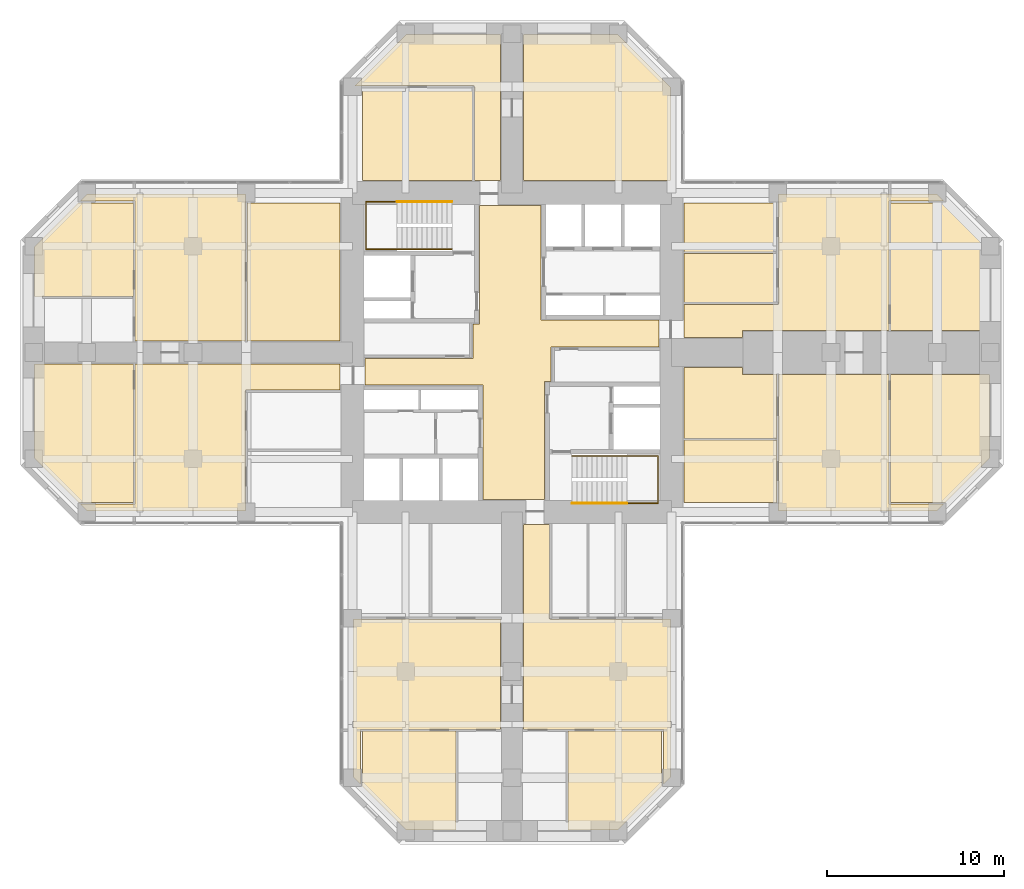
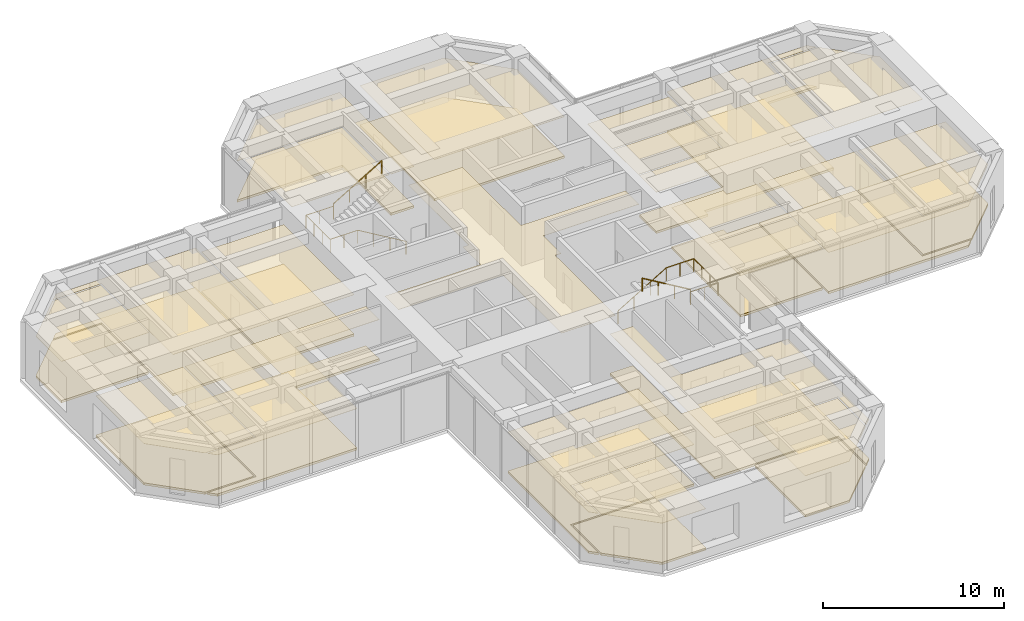
# One storey, part 13 of 13: 37 coverings, 4 railings.
"""IFC4 building model written with IfcOpenShell, lengths in metres."""

from ifc_helpers import new_model, si_unit, direction, frame, origin, origin_2d, place, context, subcontext, project, spatial, polyline, circle, outline, extrude, material, layer, layer_set, constituent, constituent_set, type_object, element, save


model = new_model("IFC4")

# Units and contexts
model_context = context("Model", 3, precision=1e-05, world=origin(), true_north=direction((0.0, 1.0)))
body_context = subcontext(model_context, "Body", "Model", "MODEL_VIEW")
ifc_project = project(units=[si_unit("LENGTHUNIT", "METRE"), si_unit("AREAUNIT", "SQUARE_METRE"), si_unit("VOLUMEUNIT", "CUBIC_METRE"), si_unit("PLANEANGLEUNIT", "RADIAN"), si_unit("MASSUNIT", "GRAM", prefix="KILO")], contexts=[model_context])

# Site, building, storey
site_placement = place(None, origin())
site = spatial("IfcSite", under=ifc_project, at=site_placement, CompositionType="ELEMENT")
building_placement = place(site_placement, origin())
building = spatial("IfcBuilding", under=site, at=building_placement, Name="Torre Cruceta", CompositionType="ELEMENT")
storey_placement = place(building_placement, frame((0.0, 0.0, 156.5)))
storey = spatial("IfcBuildingStorey", under=building, at=storey_placement, Name="L38", CompositionType="ELEMENT", Elevation=156.5)

# Railings
ifc_material_1 = material(Name="Stainless steel 1.4401", Category="steel")
railing_type = type_object("IfcRailingType", Name="HANDRAIL 900", PredefinedType="HANDRAIL", material=ifc_material_1)
railing_1_placement = place(storey_placement, frame((-3.39990234375, 5.8349609375, 0.166748046875)))
element("IfcRailing", 1, at=railing_1_placement, inside=storey, type_object=railing_type, Name="Handrail HR1 ST1 L38", PredefinedType="HANDRAIL", context=body_context, shape_type="SweptSolid", body=[
    extrude(circle(Radius=0.02392578125, at=origin_2d()), frame((0.0, 0.0, 0.8759765625), z_axis=(-0.859308565015, 0.0, 0.511457515432), x_axis=(0.0, -1.0, 0.0)), (0.0, 0.0, 1.0), 3.58447265625),
    extrude(circle(Radius=0.02392578125, at=origin_2d()), frame((-3.080078125, 0.0, 2.708984375), z_axis=(-1.0, 0.0, 0.0), x_axis=(0.0, -1.0, 0.0)), (0.0, 0.0, 1.0), 1.760009765625),
    extrude(circle(Radius=0.02392578125, at=origin_2d()), frame((-4.840087890625, 0.0, 2.708984375), z_axis=(0.0, 1.0, 0.0), x_axis=(-1.0, 0.0, 0.0)), (0.0, 0.0, 1.0), 2.679931640625),
    extrude(circle(Radius=0.02392578125, at=origin_2d()), frame((-4.840087890625, 2.679931640625, 2.708984375), z_axis=(1.0, 0.0, 0.0), x_axis=(0.0, 1.0, 0.0)), (0.0, 0.0, 1.0), 1.760009765625),
    extrude(circle(Radius=0.02099609375, at=origin_2d()), origin(), (0.0, 0.0, 1.0), 0.851806640625),
    extrude(circle(Radius=0.02099609375, at=origin_2d()), frame((-1.026611328125, 0.0, 0.611083984375)), (0.0, 0.0, 1.0), 0.851806640625),
    extrude(circle(Radius=0.02099609375, at=origin_2d()), frame((-2.053466796875, 0.0, 1.22216796875)), (0.0, 0.0, 1.0), 0.851806640625),
    extrude(circle(Radius=0.02099609375, at=origin_2d()), frame((-3.080078125, 0.0, 1.833251953125)), (0.0, 0.0, 1.0), 0.851806640625),
    extrude(circle(Radius=0.02099609375, at=origin_2d()), frame((-3.9599609375, 0.0, 1.833251953125)), (0.0, 0.0, 1.0), 0.851806640625),
    extrude(circle(Radius=0.02099609375, at=origin_2d()), frame((-4.840087890625, 0.0, 1.833251953125)), (0.0, 0.0, 1.0), 0.851806640625),
    extrude(circle(Radius=0.02099609375, at=origin_2d()), frame((-4.840087890625, 0.893310546875, 1.833251953125)), (0.0, 0.0, 1.0), 0.851806640625),
    extrude(circle(Radius=0.02099609375, at=origin_2d()), frame((-4.840087890625, 1.78662109375, 1.833251953125)), (0.0, 0.0, 1.0), 0.851806640625),
    extrude(circle(Radius=0.02099609375, at=origin_2d()), frame((-4.840087890625, 2.679931640625, 1.833251953125)), (0.0, 0.0, 1.0), 0.851806640625),
    extrude(circle(Radius=0.02099609375, at=origin_2d()), frame((-3.9599609375, 2.679931640625, 1.833251953125)), (0.0, 0.0, 1.0), 0.851806640625),
    extrude(circle(Radius=0.02099609375, at=origin_2d()), frame((-3.080078125, 2.679931640625, 1.833251953125)), (0.0, 0.0, 1.0), 0.851806640625),
])
railing_2_placement = place(storey_placement, frame((-6.47998046875, 8.514892578125, 2.166748046875)))
element("IfcRailing", 2, at=railing_2_placement, inside=storey, type_object=railing_type, Name="Handrail HR1 ST1 L38", PredefinedType="HANDRAIL", context=body_context, shape_type="SweptSolid", body=[
    extrude(circle(Radius=0.02392578125, at=origin_2d()), frame((0.0, 0.0, 0.8759765625), z_axis=(0.859308565015, 0.0, 0.511457515432), x_axis=(0.0, 1.0, 0.0)), (0.0, 0.0, 1.0), 3.58447265625),
    extrude(circle(Radius=0.02099609375, at=origin_2d()), origin(), (0.0, 0.0, 1.0), 0.851806640625),
    extrude(circle(Radius=0.02099609375, at=origin_2d()), frame((1.026611328125, 0.0, 0.611083984375)), (0.0, 0.0, 1.0), 0.851806640625),
    extrude(circle(Radius=0.02099609375, at=origin_2d()), frame((2.053466796875, 0.0, 1.22216796875)), (0.0, 0.0, 1.0), 0.851806640625),
    extrude(circle(Radius=0.02099609375, at=origin_2d()), frame((3.080078125, 0.0, 1.833251953125)), (0.0, 0.0, 1.0), 0.851806640625),
])
railing_3_placement = place(storey_placement, frame((3.39990234375, -5.8349609375, 0.166748046875)))
element("IfcRailing", 3, at=railing_3_placement, inside=storey, type_object=railing_type, Name="Handrail HR1 ST2 L38", PredefinedType="HANDRAIL", context=body_context, shape_type="SweptSolid", body=[
    extrude(circle(Radius=0.02392578125, at=origin_2d()), frame((0.0, 0.0, 0.8759765625), z_axis=(0.859308565015, 0.0, 0.511457515432), x_axis=(0.0, 1.0, 0.0)), (0.0, 0.0, 1.0), 3.58447265625),
    extrude(circle(Radius=0.02392578125, at=origin_2d()), frame((3.080078125, 0.0, 2.708984375), z_axis=(1.0, 0.0, 0.0), x_axis=(0.0, 1.0, 0.0)), (0.0, 0.0, 1.0), 1.760009765625),
    extrude(circle(Radius=0.02392578125, at=origin_2d()), frame((4.840087890625, 0.0, 2.708984375), z_axis=(0.0, -1.0, 0.0), x_axis=(1.0, 0.0, 0.0)), (0.0, 0.0, 1.0), 2.679931640625),
    extrude(circle(Radius=0.02392578125, at=origin_2d()), frame((4.840087890625, -2.679931640625, 2.708984375), z_axis=(-1.0, 0.0, 0.0), x_axis=(0.0, -1.0, 0.0)), (0.0, 0.0, 1.0), 1.760009765625),
    extrude(circle(Radius=0.02099609375, at=origin_2d()), origin(), (0.0, 0.0, 1.0), 0.851806640625),
    extrude(circle(Radius=0.02099609375, at=origin_2d()), frame((1.026611328125, 0.0, 0.611083984375)), (0.0, 0.0, 1.0), 0.851806640625),
    extrude(circle(Radius=0.02099609375, at=origin_2d()), frame((2.053466796875, 0.0, 1.22216796875)), (0.0, 0.0, 1.0), 0.851806640625),
    extrude(circle(Radius=0.02099609375, at=origin_2d()), frame((3.080078125, 0.0, 1.833251953125)), (0.0, 0.0, 1.0), 0.851806640625),
    extrude(circle(Radius=0.02099609375, at=origin_2d()), frame((3.9599609375, 0.0, 1.833251953125)), (0.0, 0.0, 1.0), 0.851806640625),
    extrude(circle(Radius=0.02099609375, at=origin_2d()), frame((4.840087890625, 0.0, 1.833251953125)), (0.0, 0.0, 1.0), 0.851806640625),
    extrude(circle(Radius=0.02099609375, at=origin_2d()), frame((4.840087890625, -0.893310546875, 1.833251953125)), (0.0, 0.0, 1.0), 0.851806640625),
    extrude(circle(Radius=0.02099609375, at=origin_2d()), frame((4.840087890625, -1.78662109375, 1.833251953125)), (0.0, 0.0, 1.0), 0.851806640625),
    extrude(circle(Radius=0.02099609375, at=origin_2d()), frame((4.840087890625, -2.679931640625, 1.833251953125)), (0.0, 0.0, 1.0), 0.851806640625),
    extrude(circle(Radius=0.02099609375, at=origin_2d()), frame((3.9599609375, -2.679931640625, 1.833251953125)), (0.0, 0.0, 1.0), 0.851806640625),
    extrude(circle(Radius=0.02099609375, at=origin_2d()), frame((3.080078125, -2.679931640625, 1.833251953125)), (0.0, 0.0, 1.0), 0.851806640625),
])
railing_4_placement = place(storey_placement, frame((6.47998046875, -8.514892578125, 2.166748046875)))
element("IfcRailing", 4, at=railing_4_placement, inside=storey, type_object=railing_type, Name="Handrail HR1 ST2 L38", PredefinedType="HANDRAIL", context=body_context, shape_type="SweptSolid", body=[
    extrude(circle(Radius=0.02392578125, at=origin_2d()), frame((0.0, 0.0, 0.8759765625), z_axis=(-0.859308565015, 0.0, 0.511457515432), x_axis=(0.0, -1.0, 0.0)), (0.0, 0.0, 1.0), 3.58447265625),
    extrude(circle(Radius=0.02099609375, at=origin_2d()), origin(), (0.0, 0.0, 1.0), 0.851806640625),
    extrude(circle(Radius=0.02099609375, at=origin_2d()), frame((-1.026611328125, 0.0, 0.611083984375)), (0.0, 0.0, 1.0), 0.851806640625),
    extrude(circle(Radius=0.02099609375, at=origin_2d()), frame((-2.053466796875, 0.0, 1.22216796875)), (0.0, 0.0, 1.0), 0.851806640625),
    extrude(circle(Radius=0.02099609375, at=origin_2d()), frame((-3.080078125, 0.0, 1.833251953125)), (0.0, 0.0, 1.0), 0.851806640625),
])

# Coverings
ifc_material_2 = material(Name="Steel DX51D", Category="steel")
ifc_constituent_1 = constituent(ifc_material_2, Name="Panel casing")
ifc_material_3 = material(Name="Calcium sulphate", Category="gypsum")
ifc_constituent_2 = constituent(ifc_material_3, Name="Panel core")
ifc_constituent_set = constituent_set(constituents=[ifc_constituent_1, ifc_constituent_2], Name="Raised access floor panel")
covering_type_1 = type_object("IfcCoveringType", Name="RAISED ACCESS FLOOR 150", PredefinedType="FLOORING", material=ifc_constituent_set)
covering_1_placement = place(storey_placement, origin())
element("IfcCovering", 5, at=covering_1_placement, inside=storey, type_object=covering_type_1, Name="Raised floor L38-026", PredefinedType="FLOORING", context=body_context, shape_type="SweptSolid", body=[
    extrude(outline(polyline([(-0.64990234375, 17.949951171875), (-0.64990234375, 9.699951171875), (-2.125, 9.699951171875), (-2.125, 15.050048828125), (-8.87939453125, 15.050048828125), (-5.979248046875, 17.949951171875), (-0.64990234375, 17.949951171875)])), origin(), (0.0, 0.0, 1.0), 0.14990234375),
])
covering_2_placement = place(storey_placement, origin())
element("IfcCovering", 6, at=covering_2_placement, inside=storey, type_object=covering_type_1, Name="Raised floor L38-027", PredefinedType="FLOORING", context=body_context, shape_type="SweptSolid", body=[
    extrude(outline(polyline([(5.979248046875, 17.949951171875), (8.949951171875, 14.979248046875), (8.949951171875, 9.699951171875), (0.64990234375, 9.699951171875), (0.64990234375, 17.949951171875), (5.979248046875, 17.949951171875)])), origin(), (0.0, 0.0, 1.0), 0.14990234375),
])
covering_3_placement = place(storey_placement, origin())
element("IfcCovering", 7, at=covering_3_placement, inside=storey, type_object=covering_type_1, Name="Raised floor L38-030", PredefinedType="FLOORING", context=body_context, shape_type="SweptSolid", body=[
    extrude(outline(polyline([(14.949951171875, -4.85009765625), (9.699951171875, -4.85009765625), (9.699951171875, -0.85009765625), (13.0, -0.85009765625), (13.0, -1.25), (14.949951171875, -1.25), (14.949951171875, -4.85009765625)])), origin(), (0.0, 0.0, 1.0), 0.14990234375),
])
covering_4_placement = place(storey_placement, origin())
element("IfcCovering", 8, at=covering_4_placement, inside=storey, type_object=covering_type_1, Name="Raised floor L38-031", PredefinedType="FLOORING", context=body_context, shape_type="SweptSolid", body=[
    extrude(outline(polyline([(9.699951171875, -8.449951171875), (9.699951171875, -4.949951171875), (14.949951171875, -4.949951171875), (14.949951171875, -8.449951171875), (9.699951171875, -8.449951171875)])), origin(), (0.0, 0.0, 1.0), 0.14990234375),
])
covering_5_placement = place(storey_placement, origin())
element("IfcCovering", 9, at=covering_5_placement, inside=storey, type_object=covering_type_1, Name="Raised floor L38-033", PredefinedType="FLOORING", context=body_context, shape_type="SweptSolid", body=[
    extrude(outline(polyline([(24.479248046875, -8.449951171875), (21.3701171875, -8.449951171875), (21.3701171875, -1.25), (26.949951171875, -1.25), (26.949951171875, -5.979248046875), (24.479248046875, -8.449951171875)])), origin(), (0.0, 0.0, 1.0), 0.14990234375),
])
covering_6_placement = place(storey_placement, origin())
element("IfcCovering", 10, at=covering_6_placement, inside=storey, type_object=covering_type_1, Name="Raised floor L38-034", PredefinedType="FLOORING", context=body_context, shape_type="SweptSolid", body=[
    extrude(outline(polyline([(9.699951171875, 2.72509765625), (15.050048828125, 2.72509765625), (15.050048828125, 8.949951171875), (23.979248046875, 8.949951171875), (24.37939453125, 8.550048828125), (21.27001953125, 8.550048828125), (21.27001953125, 1.25), (13.0, 1.25), (13.0, 0.85009765625), (9.699951171875, 0.85009765625), (9.699951171875, 2.72509765625)])), origin(), (0.0, 0.0, 1.0), 0.14990234375),
])
covering_7_placement = place(storey_placement, origin())
element("IfcCovering", 11, at=covering_7_placement, inside=storey, type_object=covering_type_1, Name="Raised floor L38-035", PredefinedType="FLOORING", context=body_context, shape_type="SweptSolid", body=[
    extrude(outline(polyline([(15.050048828125, -8.949951171875), (15.050048828125, -1.25), (21.27001953125, -1.25), (21.27001953125, -8.550048828125), (24.37939453125, -8.550048828125), (23.979248046875, -8.949951171875), (15.050048828125, -8.949951171875)])), origin(), (0.0, 0.0, 1.0), 0.14990234375),
])
covering_8_placement = place(storey_placement, origin())
element("IfcCovering", 12, at=covering_8_placement, inside=storey, type_object=covering_type_1, Name="Raised floor L38-042", PredefinedType="FLOORING", context=body_context, shape_type="SweptSolid", body=[
    extrude(outline(polyline([(3.16796875, -26.949951171875), (3.16796875, -21.3701171875), (8.449951171875, -21.3701171875), (8.449951171875, -24.479248046875), (5.979248046875, -26.949951171875), (3.16796875, -26.949951171875)])), origin(), (0.0, 0.0, 1.0), 0.14990234375),
])
covering_9_placement = place(storey_placement, origin())
element("IfcCovering", 13, at=covering_9_placement, inside=storey, type_object=covering_type_1, Name="Raised floor L38-044", PredefinedType="FLOORING", context=body_context, shape_type="SweptSolid", body=[
    extrude(outline(polyline([(-8.449951171875, -24.479248046875), (-8.449951171875, -21.3701171875), (-3.16796875, -21.3701171875), (-3.16796875, -26.949951171875), (-5.979248046875, -26.949951171875), (-8.449951171875, -24.479248046875)])), origin(), (0.0, 0.0, 1.0), 0.14990234375),
])
covering_10_placement = place(storey_placement, origin())
element("IfcCovering", 14, at=covering_10_placement, inside=storey, type_object=covering_type_1, Name="Raised floor L38-045", PredefinedType="FLOORING", context=body_context, shape_type="SweptSolid", body=[
    extrude(outline(polyline([(2.125, -9.699951171875), (2.125, -15.050048828125), (8.949951171875, -15.050048828125), (8.949951171875, -23.979248046875), (8.550048828125, -24.37939453125), (8.550048828125, -21.27001953125), (0.64990234375, -21.27001953125), (0.64990234375, -9.699951171875), (2.125, -9.699951171875)])), origin(), (0.0, 0.0, 1.0), 0.14990234375),
])
covering_11_placement = place(storey_placement, origin())
element("IfcCovering", 15, at=covering_11_placement, inside=storey, type_object=covering_type_1, Name="Raised floor L38-046", PredefinedType="FLOORING", context=body_context, shape_type="SweptSolid", body=[
    extrude(outline(polyline([(-8.949951171875, -15.050048828125), (-0.64990234375, -15.050048828125), (-0.64990234375, -21.27001953125), (-8.550048828125, -21.27001953125), (-8.550048828125, -24.37939453125), (-8.949951171875, -23.979248046875), (-8.949951171875, -15.050048828125)])), origin(), (0.0, 0.0, 1.0), 0.14990234375),
])
covering_12_placement = place(storey_placement, origin())
element("IfcCovering", 16, at=covering_12_placement, inside=storey, type_object=covering_type_1, Name="Raised floor L38-049", PredefinedType="FLOORING", context=body_context, shape_type="SweptSolid", body=[
    extrude(outline(polyline([(-9.699951171875, 8.449951171875), (-9.699951171875, 0.64990234375), (-14.949951171875, 0.64990234375), (-14.949951171875, 8.449951171875), (-9.699951171875, 8.449951171875)])), origin(), (0.0, 0.0, 1.0), 0.14990234375),
])
covering_13_placement = place(storey_placement, origin())
element("IfcCovering", 17, at=covering_13_placement, inside=storey, type_object=covering_type_1, Name="Raised floor L38-050", PredefinedType="FLOORING", context=body_context, shape_type="SweptSolid", body=[
    extrude(outline(polyline([(-26.949951171875, -0.64990234375), (-21.3701171875, -0.64990234375), (-21.3701171875, -8.449951171875), (-24.479248046875, -8.449951171875), (-26.949951171875, -5.979248046875), (-26.949951171875, -0.64990234375)])), origin(), (0.0, 0.0, 1.0), 0.14990234375),
])
covering_14_placement = place(storey_placement, origin())
element("IfcCovering", 18, at=covering_14_placement, inside=storey, type_object=covering_type_1, Name="Raised floor L38-052", PredefinedType="FLOORING", context=body_context, shape_type="SweptSolid", body=[
    extrude(outline(polyline([(-24.479248046875, 8.449951171875), (-21.3701171875, 8.449951171875), (-21.3701171875, 3.16796875), (-26.949951171875, 3.16796875), (-26.949951171875, 5.979248046875), (-24.479248046875, 8.449951171875)])), origin(), (0.0, 0.0, 1.0), 0.14990234375),
])
covering_15_placement = place(storey_placement, origin())
element("IfcCovering", 19, at=covering_15_placement, inside=storey, type_object=covering_type_1, Name="Raised floor L38-053", PredefinedType="FLOORING", context=body_context, shape_type="SweptSolid", body=[
    extrude(outline(polyline([(-9.699951171875, -2.125), (-15.050048828125, -2.125), (-15.050048828125, -8.949951171875), (-23.979248046875, -8.949951171875), (-24.37939453125, -8.550048828125), (-21.27001953125, -8.550048828125), (-21.27001953125, -0.64990234375), (-9.699951171875, -0.64990234375), (-9.699951171875, -2.125)])), origin(), (0.0, 0.0, 1.0), 0.14990234375),
])
covering_16_placement = place(storey_placement, origin())
element("IfcCovering", 20, at=covering_16_placement, inside=storey, type_object=covering_type_1, Name="Raised floor L38-054", PredefinedType="FLOORING", context=body_context, shape_type="SweptSolid", body=[
    extrude(outline(polyline([(-15.050048828125, 8.949951171875), (-15.050048828125, 0.64990234375), (-21.27001953125, 0.64990234375), (-21.27001953125, 8.550048828125), (-24.37939453125, 8.550048828125), (-23.979248046875, 8.949951171875), (-15.050048828125, 8.949951171875)])), origin(), (0.0, 0.0, 1.0), 0.14990234375),
])
ifc_material_4 = material(Name="Mineral fibre ceiling tile", Category="gypsum")
ifc_layer = layer(ifc_material_4, 0.02001953125)
ifc_layer_set = layer_set([ifc_layer], Name="Mineral fibre ceiling tile")
covering_type_2 = type_object("IfcCoveringType", Name="SUSPENDED CEILING 20", PredefinedType="CEILING", material=ifc_layer_set)
covering_17_placement = place(storey_placement, frame((0.0, 0.0, 2.780029296875)))
element("IfcCovering", 21, at=covering_17_placement, inside=storey, type_object=covering_type_2, Name="Ceiling L38-001", PredefinedType="CEILING", context=body_context, shape_type="SweptSolid", body=[
    extrude(outline(polyline([(1.824951171875, -8.300048828125), (-1.625, -8.300048828125), (-1.625, -1.824951171875), (-8.300048828125, -1.824951171875), (-8.300048828125, -0.324951171875), (-2.199951171875, -0.324951171875), (-2.199951171875, 1.625), (-1.824951171875, 1.625), (-1.824951171875, 8.300048828125), (1.625, 8.300048828125), (1.625, 1.824951171875), (8.300048828125, 1.824951171875), (8.300048828125, 0.324951171875), (2.199951171875, 0.324951171875), (2.199951171875, -1.625), (1.824951171875, -1.625), (1.824951171875, -8.300048828125)])), origin(), (0.0, 0.0, 1.0), 0.02001953125),
])
covering_18_placement = place(storey_placement, frame((0.0, 0.0, 2.780029296875)))
element("IfcCovering", 22, at=covering_18_placement, inside=storey, type_object=covering_type_2, Name="Ceiling L38-025", PredefinedType="CEILING", context=body_context, shape_type="SweptSolid", body=[
    extrude(outline(polyline([(-2.22509765625, 9.699951171875), (-8.449951171875, 9.699951171875), (-8.449951171875, 14.949951171875), (-2.22509765625, 14.949951171875), (-2.22509765625, 9.699951171875)])), origin(), (0.0, 0.0, 1.0), 0.02001953125),
])
covering_19_placement = place(storey_placement, frame((0.0, 0.0, 2.780029296875)))
element("IfcCovering", 23, at=covering_19_placement, inside=storey, type_object=covering_type_2, Name="Ceiling L38-026", PredefinedType="CEILING", context=body_context, shape_type="SweptSolid", body=[
    extrude(outline(polyline([(-0.64990234375, 17.949951171875), (-0.64990234375, 9.699951171875), (-2.125, 9.699951171875), (-2.125, 15.050048828125), (-8.87939453125, 15.050048828125), (-5.979248046875, 17.949951171875), (-0.64990234375, 17.949951171875)])), origin(), (0.0, 0.0, 1.0), 0.02001953125),
])
covering_20_placement = place(storey_placement, frame((0.0, 0.0, 2.780029296875)))
element("IfcCovering", 24, at=covering_20_placement, inside=storey, type_object=covering_type_2, Name="Ceiling L38-027", PredefinedType="CEILING", context=body_context, shape_type="SweptSolid", body=[
    extrude(outline(polyline([(5.979248046875, 17.949951171875), (8.949951171875, 14.979248046875), (8.949951171875, 9.699951171875), (0.64990234375, 9.699951171875), (0.64990234375, 17.949951171875), (5.979248046875, 17.949951171875)])), origin(), (0.0, 0.0, 1.0), 0.02001953125),
])
covering_21_placement = place(storey_placement, frame((0.0, 0.0, 2.780029296875)))
element("IfcCovering", 25, at=covering_21_placement, inside=storey, type_object=covering_type_2, Name="Ceiling L38-028", PredefinedType="CEILING", context=body_context, shape_type="SweptSolid", body=[
    extrude(outline(polyline([(9.699951171875, 2.824951171875), (9.699951171875, 5.58740234375), (14.949951171875, 5.58740234375), (14.949951171875, 2.824951171875), (9.699951171875, 2.824951171875)])), origin(), (0.0, 0.0, 1.0), 0.02001953125),
])
covering_22_placement = place(storey_placement, frame((0.0, 0.0, 2.780029296875)))
element("IfcCovering", 26, at=covering_22_placement, inside=storey, type_object=covering_type_2, Name="Ceiling L38-029", PredefinedType="CEILING", context=body_context, shape_type="SweptSolid", body=[
    extrude(outline(polyline([(9.699951171875, 5.6875), (9.699951171875, 8.449951171875), (14.949951171875, 8.449951171875), (14.949951171875, 5.6875), (9.699951171875, 5.6875)])), origin(), (0.0, 0.0, 1.0), 0.02001953125),
])
covering_23_placement = place(storey_placement, frame((0.0, 0.0, 2.780029296875)))
element("IfcCovering", 27, at=covering_23_placement, inside=storey, type_object=covering_type_2, Name="Ceiling L38-030", PredefinedType="CEILING", context=body_context, shape_type="SweptSolid", body=[
    extrude(outline(polyline([(14.949951171875, -4.85009765625), (9.699951171875, -4.85009765625), (9.699951171875, -0.85009765625), (13.0, -0.85009765625), (13.0, -1.25), (14.949951171875, -1.25), (14.949951171875, -4.85009765625)])), origin(), (0.0, 0.0, 1.0), 0.02001953125),
])
covering_24_placement = place(storey_placement, frame((0.0, 0.0, 2.780029296875)))
element("IfcCovering", 28, at=covering_24_placement, inside=storey, type_object=covering_type_2, Name="Ceiling L38-031", PredefinedType="CEILING", context=body_context, shape_type="SweptSolid", body=[
    extrude(outline(polyline([(9.699951171875, -8.449951171875), (9.699951171875, -4.949951171875), (14.949951171875, -4.949951171875), (14.949951171875, -8.449951171875), (9.699951171875, -8.449951171875)])), origin(), (0.0, 0.0, 1.0), 0.02001953125),
])
covering_25_placement = place(storey_placement, frame((0.0, 0.0, 2.780029296875)))
element("IfcCovering", 29, at=covering_25_placement, inside=storey, type_object=covering_type_2, Name="Ceiling L38-032", PredefinedType="CEILING", context=body_context, shape_type="SweptSolid", body=[
    extrude(outline(polyline([(26.949951171875, 1.25), (21.3701171875, 1.25), (21.3701171875, 8.449951171875), (24.479248046875, 8.449951171875), (26.949951171875, 5.979248046875), (26.949951171875, 1.25)])), origin(), (0.0, 0.0, 1.0), 0.02001953125),
])
covering_26_placement = place(storey_placement, frame((0.0, 0.0, 2.780029296875)))
element("IfcCovering", 30, at=covering_26_placement, inside=storey, type_object=covering_type_2, Name="Ceiling L38-033", PredefinedType="CEILING", context=body_context, shape_type="SweptSolid", body=[
    extrude(outline(polyline([(24.479248046875, -8.449951171875), (21.3701171875, -8.449951171875), (21.3701171875, -1.25), (26.949951171875, -1.25), (26.949951171875, -5.979248046875), (24.479248046875, -8.449951171875)])), origin(), (0.0, 0.0, 1.0), 0.02001953125),
])
covering_27_placement = place(storey_placement, frame((0.0, 0.0, 2.780029296875)))
element("IfcCovering", 31, at=covering_27_placement, inside=storey, type_object=covering_type_2, Name="Ceiling L38-034", PredefinedType="CEILING", context=body_context, shape_type="SweptSolid", body=[
    extrude(outline(polyline([(9.699951171875, 2.72509765625), (15.050048828125, 2.72509765625), (15.050048828125, 8.949951171875), (23.979248046875, 8.949951171875), (24.37939453125, 8.550048828125), (21.27001953125, 8.550048828125), (21.27001953125, 1.25), (13.0, 1.25), (13.0, 0.85009765625), (9.699951171875, 0.85009765625), (9.699951171875, 2.72509765625)])), origin(), (0.0, 0.0, 1.0), 0.02001953125),
])
covering_28_placement = place(storey_placement, frame((0.0, 0.0, 2.780029296875)))
element("IfcCovering", 32, at=covering_28_placement, inside=storey, type_object=covering_type_2, Name="Ceiling L38-035", PredefinedType="CEILING", context=body_context, shape_type="SweptSolid", body=[
    extrude(outline(polyline([(15.050048828125, -8.949951171875), (15.050048828125, -1.25), (21.27001953125, -1.25), (21.27001953125, -8.550048828125), (24.37939453125, -8.550048828125), (23.979248046875, -8.949951171875), (15.050048828125, -8.949951171875)])), origin(), (0.0, 0.0, 1.0), 0.02001953125),
])
covering_29_placement = place(storey_placement, frame((0.0, 0.0, 2.780029296875)))
element("IfcCovering", 33, at=covering_29_placement, inside=storey, type_object=covering_type_2, Name="Ceiling L38-042", PredefinedType="CEILING", context=body_context, shape_type="SweptSolid", body=[
    extrude(outline(polyline([(3.16796875, -26.949951171875), (3.16796875, -21.3701171875), (8.449951171875, -21.3701171875), (8.449951171875, -24.479248046875), (5.979248046875, -26.949951171875), (3.16796875, -26.949951171875)])), origin(), (0.0, 0.0, 1.0), 0.02001953125),
])
covering_30_placement = place(storey_placement, frame((0.0, 0.0, 2.780029296875)))
element("IfcCovering", 34, at=covering_30_placement, inside=storey, type_object=covering_type_2, Name="Ceiling L38-044", PredefinedType="CEILING", context=body_context, shape_type="SweptSolid", body=[
    extrude(outline(polyline([(-8.449951171875, -24.479248046875), (-8.449951171875, -21.3701171875), (-3.16796875, -21.3701171875), (-3.16796875, -26.949951171875), (-5.979248046875, -26.949951171875), (-8.449951171875, -24.479248046875)])), origin(), (0.0, 0.0, 1.0), 0.02001953125),
])
covering_31_placement = place(storey_placement, frame((0.0, 0.0, 2.780029296875)))
element("IfcCovering", 35, at=covering_31_placement, inside=storey, type_object=covering_type_2, Name="Ceiling L38-045", PredefinedType="CEILING", context=body_context, shape_type="SweptSolid", body=[
    extrude(outline(polyline([(2.125, -9.699951171875), (2.125, -15.050048828125), (8.949951171875, -15.050048828125), (8.949951171875, -23.979248046875), (8.550048828125, -24.37939453125), (8.550048828125, -21.27001953125), (0.64990234375, -21.27001953125), (0.64990234375, -9.699951171875), (2.125, -9.699951171875)])), origin(), (0.0, 0.0, 1.0), 0.02001953125),
])
covering_32_placement = place(storey_placement, frame((0.0, 0.0, 2.780029296875)))
element("IfcCovering", 36, at=covering_32_placement, inside=storey, type_object=covering_type_2, Name="Ceiling L38-046", PredefinedType="CEILING", context=body_context, shape_type="SweptSolid", body=[
    extrude(outline(polyline([(-8.949951171875, -15.050048828125), (-0.64990234375, -15.050048828125), (-0.64990234375, -21.27001953125), (-8.550048828125, -21.27001953125), (-8.550048828125, -24.37939453125), (-8.949951171875, -23.979248046875), (-8.949951171875, -15.050048828125)])), origin(), (0.0, 0.0, 1.0), 0.02001953125),
])
covering_33_placement = place(storey_placement, frame((0.0, 0.0, 2.780029296875)))
element("IfcCovering", 37, at=covering_33_placement, inside=storey, type_object=covering_type_2, Name="Ceiling L38-049", PredefinedType="CEILING", context=body_context, shape_type="SweptSolid", body=[
    extrude(outline(polyline([(-9.699951171875, 8.449951171875), (-9.699951171875, 0.64990234375), (-14.949951171875, 0.64990234375), (-14.949951171875, 8.449951171875), (-9.699951171875, 8.449951171875)])), origin(), (0.0, 0.0, 1.0), 0.02001953125),
])
covering_34_placement = place(storey_placement, frame((0.0, 0.0, 2.780029296875)))
element("IfcCovering", 38, at=covering_34_placement, inside=storey, type_object=covering_type_2, Name="Ceiling L38-050", PredefinedType="CEILING", context=body_context, shape_type="SweptSolid", body=[
    extrude(outline(polyline([(-26.949951171875, -0.64990234375), (-21.3701171875, -0.64990234375), (-21.3701171875, -8.449951171875), (-24.479248046875, -8.449951171875), (-26.949951171875, -5.979248046875), (-26.949951171875, -0.64990234375)])), origin(), (0.0, 0.0, 1.0), 0.02001953125),
])
covering_35_placement = place(storey_placement, frame((0.0, 0.0, 2.780029296875)))
element("IfcCovering", 39, at=covering_35_placement, inside=storey, type_object=covering_type_2, Name="Ceiling L38-052", PredefinedType="CEILING", context=body_context, shape_type="SweptSolid", body=[
    extrude(outline(polyline([(-24.479248046875, 8.449951171875), (-21.3701171875, 8.449951171875), (-21.3701171875, 3.16796875), (-26.949951171875, 3.16796875), (-26.949951171875, 5.979248046875), (-24.479248046875, 8.449951171875)])), origin(), (0.0, 0.0, 1.0), 0.02001953125),
])
covering_36_placement = place(storey_placement, frame((0.0, 0.0, 2.780029296875)))
element("IfcCovering", 40, at=covering_36_placement, inside=storey, type_object=covering_type_2, Name="Ceiling L38-053", PredefinedType="CEILING", context=body_context, shape_type="SweptSolid", body=[
    extrude(outline(polyline([(-9.699951171875, -2.125), (-15.050048828125, -2.125), (-15.050048828125, -8.949951171875), (-23.979248046875, -8.949951171875), (-24.37939453125, -8.550048828125), (-21.27001953125, -8.550048828125), (-21.27001953125, -0.64990234375), (-9.699951171875, -0.64990234375), (-9.699951171875, -2.125)])), origin(), (0.0, 0.0, 1.0), 0.02001953125),
])
covering_37_placement = place(storey_placement, frame((0.0, 0.0, 2.780029296875)))
element("IfcCovering", 41, at=covering_37_placement, inside=storey, type_object=covering_type_2, Name="Ceiling L38-054", PredefinedType="CEILING", context=body_context, shape_type="SweptSolid", body=[
    extrude(outline(polyline([(-15.050048828125, 8.949951171875), (-15.050048828125, 0.64990234375), (-21.27001953125, 0.64990234375), (-21.27001953125, 8.550048828125), (-24.37939453125, 8.550048828125), (-23.979248046875, 8.949951171875), (-15.050048828125, 8.949951171875)])), origin(), (0.0, 0.0, 1.0), 0.02001953125),
])

save(model, "model.ifc")
